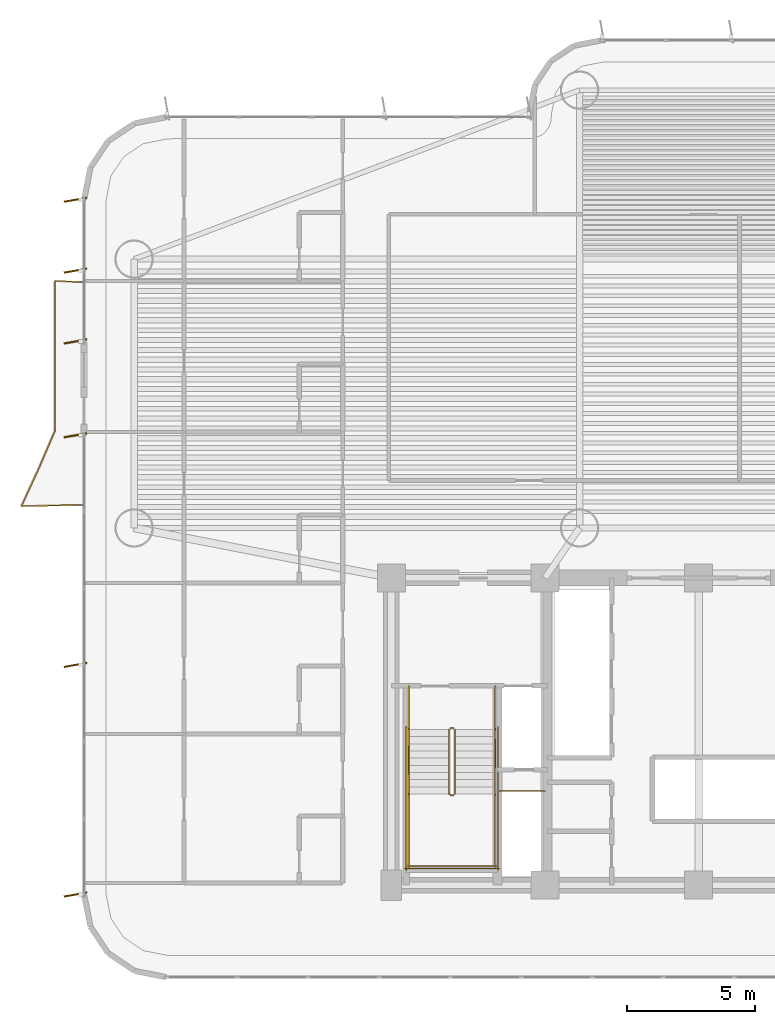
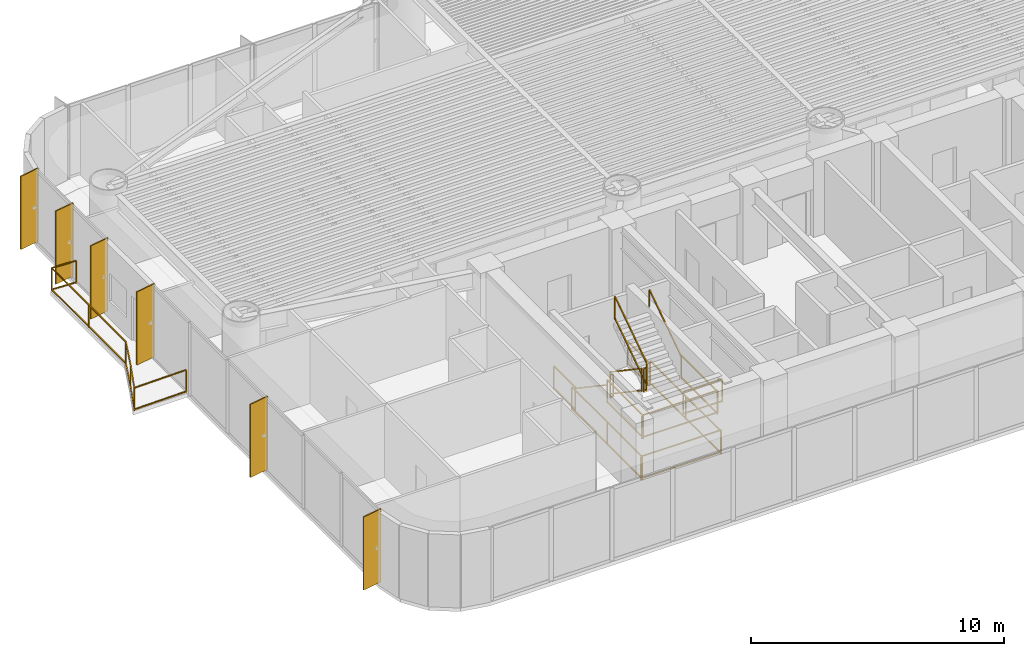
# One storey, part 15 of 18: 16 railings, 6 shading devices.
"""IFC4 building model written with IfcOpenShell, lengths in metres."""

from ifc_helpers import new_model, si_unit, direction, frame, origin, origin_2d, place, context, subcontext, project, spatial, rectangle, extrude, source, transform, mapped, material, layer, layer_set, material_profile, profile_set, type_object, element, save


model = new_model("IFC4")

# Units and contexts
model_context = context("Model", 3, precision=1e-05, world=origin(), true_north=direction((0.0, 1.0)))
body_context = subcontext(model_context, "Body", "Model", "MODEL_VIEW")
ifc_project = project(units=[si_unit("LENGTHUNIT", "METRE"), si_unit("AREAUNIT", "SQUARE_METRE"), si_unit("VOLUMEUNIT", "CUBIC_METRE"), si_unit("PLANEANGLEUNIT", "RADIAN"), si_unit("MASSUNIT", "GRAM", prefix="KILO")], contexts=[model_context])

# Site, building, storey
site_placement = place(None, origin())
site = spatial("IfcSite", under=ifc_project, at=site_placement, CompositionType="ELEMENT")
building_placement = place(site_placement, origin())
building = spatial("IfcBuilding", under=site, at=building_placement, Name="Brelvock Crest Care Tower", CompositionType="ELEMENT")
storey_placement = place(building_placement, frame((0.0, 0.0, 42.1201171875)))
storey = spatial("IfcBuildingStorey", under=building, at=storey_placement, Name="L10", CompositionType="ELEMENT", Elevation=42.1201171875)

# Railings
ifc_material_1 = material(Name="Dark Glass Double Glazed Low-E", Category="glass")
ifc_layer_1 = layer(ifc_material_1, 0.06005859375, Name="RL-BAL1")
ifc_layer_set_1 = layer_set([ifc_layer_1], Name="Dark Glass Double Glazed Low-E")
railing_type_1 = type_object("IfcRailingType", Name="RL-BAL1", PredefinedType="BALUSTRADE", material=ifc_layer_set_1)
railing_1_placement = place(storey_placement, frame((11.9599609375, 20.85009765625, 0.00390625)))
element("IfcRailing", 1, at=railing_1_placement, inside=storey, type_object=railing_type_1, Name="L10 Safety Balustrade WB-W", PredefinedType="BALUSTRADE", context=body_context, shape_type="SweptSolid", body=[
    extrude(rectangle(XDim=0.048095703125, YDim=0.048095703125, at=origin_2d()), frame((-0.001953125, 0.0, 1.09619140625), z_axis=(-0.999783452903, -0.020809788592, 0.0), x_axis=(0.020809788592, -0.999783452903, 0.0)), (0.0, 0.0, 1.0), 2.401123046875),
    extrude(rectangle(XDim=0.048095703125, YDim=0.048095703125, at=origin_2d()), frame((-0.001953125, 0.0, 0.054931640625), z_axis=(-0.999783452903, -0.020809788592, 0.0), x_axis=(0.020809788592, -0.999783452903, 0.0)), (0.0, 0.0, 1.0), 2.401123046875),
    extrude(rectangle(XDim=0.048095703125, YDim=0.048095703125, at=origin_2d()), frame((-2.40380859375, -0.04833984375, 1.09619140625), z_axis=(0.417503547282, 0.908675292944, 0.0), x_axis=(-0.908675292944, 0.417503547282, 0.0)), (0.0, 0.0, 1.0), 1.60986328125),
    extrude(rectangle(XDim=0.048095703125, YDim=0.048095703125, at=origin_2d()), frame((-2.40380859375, -0.04833984375, 0.054931640625), z_axis=(0.417503547282, 0.908675292944, 0.0), x_axis=(-0.908675292944, 0.417503547282, 0.0)), (0.0, 0.0, 1.0), 1.60986328125),
    extrude(rectangle(XDim=0.048095703125, YDim=0.048095703125, at=origin_2d()), frame((-1.72998046875, 1.41845703125, 1.09619140625), z_axis=(0.395100013248, 0.918638111299, 0.0), x_axis=(-0.918638111299, 0.395100013248, 0.0)), (0.0, 0.0, 1.0), 1.5927734375),
    extrude(rectangle(XDim=0.048095703125, YDim=0.048095703125, at=origin_2d()), frame((-1.72998046875, 1.41845703125, 0.054931640625), z_axis=(0.395100013248, 0.918638111299, 0.0), x_axis=(-0.918638111299, 0.395100013248, 0.0)), (0.0, 0.0, 1.0), 1.5927734375),
    extrude(rectangle(XDim=0.048095703125, YDim=0.048095703125, at=origin_2d()), frame((-1.099853515625, 2.88525390625, 1.09619140625), z_axis=(0.0, 1.0, 0.0), x_axis=(-1.0, 0.0, 0.0)), (0.0, 0.0, 1.0), 5.86279296875),
    extrude(rectangle(XDim=0.048095703125, YDim=0.048095703125, at=origin_2d()), frame((-1.099853515625, 2.88525390625, 0.054931640625), z_axis=(0.0, 1.0, 0.0), x_axis=(-1.0, 0.0, 0.0)), (0.0, 0.0, 1.0), 5.86279296875),
    extrude(rectangle(XDim=0.048095703125, YDim=0.048095703125, at=origin_2d()), frame((-1.097900390625, 8.75, 1.09619140625), z_axis=(0.998966252902, -0.045457953795, 0.0), x_axis=(0.045457953795, 0.998966252902, 0.0)), (0.0, 0.0, 1.0), 1.096923828125),
    extrude(rectangle(XDim=0.048095703125, YDim=0.048095703125, at=origin_2d()), frame((-1.097900390625, 8.75, 0.054931640625), z_axis=(0.998966252902, -0.045457953795, 0.0), x_axis=(0.045457953795, 0.998966252902, 0.0)), (0.0, 0.0, 1.0), 1.096923828125),
    extrude(rectangle(XDim=0.0419921875, YDim=0.0419921875, at=origin_2d()), origin(), (0.0, 0.0, 1.0), 1.070068359375),
    extrude(rectangle(XDim=0.0419921875, YDim=0.0419921875, at=origin_2d()), frame((-2.404541015625, -0.050048828125, 0.0)), (0.0, 0.0, 1.0), 1.070068359375),
    extrude(rectangle(XDim=0.0419921875, YDim=0.0419921875, at=origin_2d()), frame((-1.730712890625, 1.41650390625, 0.0)), (0.0, 0.0, 1.0), 1.070068359375),
    extrude(rectangle(XDim=0.0419921875, YDim=0.0419921875, at=origin_2d()), frame((-1.099853515625, 2.88330078125, 0.0)), (0.0, 0.0, 1.0), 1.070068359375),
    extrude(rectangle(XDim=0.0419921875, YDim=0.0419921875, at=origin_2d()), frame((-1.099853515625, 5.816650390625, 0.0)), (0.0, 0.0, 1.0), 1.070068359375),
    extrude(rectangle(XDim=0.0419921875, YDim=0.0419921875, at=origin_2d()), frame((-1.099853515625, 8.75, 0.0)), (0.0, 0.0, 1.0), 1.070068359375),
    extrude(rectangle(XDim=0.0419921875, YDim=0.0419921875, at=origin_2d()), frame((0.0, 8.699951171875, 0.0)), (0.0, 0.0, 1.0), 1.070068359375),
])
ifc_material_2 = material(Name="Steel Grade 350", Category="steel")
ifc_layer_2 = layer(ifc_material_2, 0.050048828125, Name="RL-STG1")
ifc_layer_set_2 = layer_set([ifc_layer_2], Name="Steel Grade 350")
railing_type_2 = type_object("IfcRailingType", Name="RL-STG1", PredefinedType="GUARDRAIL", material=ifc_layer_set_2)
railing_2_placement = place(storey_placement, frame((26.260009765625, 12.080078125, 0.18896484375)))
element("IfcRailing", 2, at=railing_2_placement, inside=storey, type_object=railing_type_2, Name="L10 ST-1 stair guard 1", PredefinedType="GUARDRAIL", context=body_context, shape_type="SweptSolid", body=[
    extrude(rectangle(XDim=0.048095703125, YDim=0.048095703125, at=origin_2d()), frame((0.0, -0.001708984375, 1.116943359375), z_axis=(0.0, -0.828861706735, 0.559453546873), x_axis=(1.0, 0.0, 0.0)), (0.0, 0.0, 1.0), 3.036376953125),
    extrude(rectangle(XDim=0.048095703125, YDim=0.048095703125, at=origin_2d()), frame((0.0, -0.001708984375, 0.05615234375), z_axis=(0.0, -0.828861706735, 0.559453546873), x_axis=(1.0, 0.0, 0.0)), (0.0, 0.0, 1.0), 3.036376953125),
    extrude(rectangle(XDim=0.0419921875, YDim=0.0419921875, at=origin_2d()), origin(), (0.0, 0.0, 1.0), 1.08984375),
    extrude(rectangle(XDim=0.0419921875, YDim=0.0419921875, at=origin_2d()), frame((0.0, -2.52001953125, 1.700927734375)), (0.0, 0.0, 1.0), 1.08984375),
])
railing_3_placement = place(storey_placement, frame((26.31005859375, 9.510009765625, 1.889892578125)))
element("IfcRailing", 3, at=railing_3_placement, inside=storey, type_object=railing_type_2, Name="L10 ST-1 stair guard 2", PredefinedType="GUARDRAIL", context=body_context, shape_type="SweptSolid", body=[
    extrude(rectangle(XDim=0.048095703125, YDim=0.048095703125, at=origin_2d()), frame((0.001953125, 0.0, 1.11572265625), z_axis=(1.0, 0.0, 0.0), x_axis=(0.0, 1.0, 0.0)), (0.0, 0.0, 1.0), 0.115966796875),
    extrude(rectangle(XDim=0.048095703125, YDim=0.048095703125, at=origin_2d()), frame((0.001953125, 0.0, 0.054931640625), z_axis=(1.0, 0.0, 0.0), x_axis=(0.0, 1.0, 0.0)), (0.0, 0.0, 1.0), 0.115966796875),
    extrude(rectangle(XDim=0.0419921875, YDim=0.0419921875, at=origin_2d()), origin(), (0.0, 0.0, 1.0), 1.08984375),
    extrude(rectangle(XDim=0.0419921875, YDim=0.0419921875, at=origin_2d()), frame((0.119873046875, 0.0, 0.0)), (0.0, 0.0, 1.0), 1.08984375),
])
for number, where, name in (
    (4, (24.679931640625, 9.56005859375, 1.889892578125), "L10 ST-1 stair guard 3"),
    (5, (28.06005859375, 9.56005859375, 1.889892578125), "L10 ST-1 stair guard 4"),
):
    element("IfcRailing", number, at=place(storey_placement, frame(where)), inside=storey, type_object=railing_type_2, Name=name, PredefinedType="GUARDRAIL", context=body_context, shape_type="SweptSolid", body=[
        extrude(rectangle(XDim=0.048095703125, YDim=0.048095703125, at=origin_2d()), frame((0.0, -0.001953125, 1.11572265625), z_axis=(0.0, -1.0, 0.0), x_axis=(1.0, 0.0, 0.0)), (0.0, 0.0, 1.0), 2.856201171875),
        extrude(rectangle(XDim=0.048095703125, YDim=0.048095703125, at=origin_2d()), frame((0.0, -0.001953125, 0.054931640625), z_axis=(0.0, -1.0, 0.0), x_axis=(1.0, 0.0, 0.0)), (0.0, 0.0, 1.0), 2.856201171875),
        extrude(rectangle(XDim=0.0419921875, YDim=0.0419921875, at=origin_2d()), origin(), (0.0, 0.0, 1.0), 1.08984375),
        extrude(rectangle(XDim=0.0419921875, YDim=0.0419921875, at=origin_2d()), frame((0.0, -2.860107421875, 0.0)), (0.0, 0.0, 1.0), 1.08984375),
    ])
railing_4_placement = place(storey_placement, frame((24.6298828125, 6.75, 1.889892578125)))
element("IfcRailing", 6, at=railing_4_placement, inside=storey, type_object=railing_type_2, Name="L10 ST-1 stair guard 5", PredefinedType="GUARDRAIL", context=body_context, shape_type="SweptSolid", body=[
    extrude(rectangle(XDim=0.048095703125, YDim=0.048095703125, at=origin_2d()), frame((0.001953125, 0.0, 1.11572265625), z_axis=(1.0, 0.0, 0.0), x_axis=(0.0, 1.0, 0.0)), (0.0, 0.0, 1.0), 3.476318359375),
    extrude(rectangle(XDim=0.048095703125, YDim=0.048095703125, at=origin_2d()), frame((0.001953125, 0.0, 0.054931640625), z_axis=(1.0, 0.0, 0.0), x_axis=(0.0, 1.0, 0.0)), (0.0, 0.0, 1.0), 3.476318359375),
    extrude(rectangle(XDim=0.0419921875, YDim=0.0419921875, at=origin_2d()), origin(), (0.0, 0.0, 1.0), 1.08984375),
    extrude(rectangle(XDim=0.0419921875, YDim=0.0419921875, at=origin_2d()), frame((3.480224609375, 0.0, 0.0)), (0.0, 0.0, 1.0), 1.08984375),
])
railing_5_placement = place(storey_placement, frame((26.47998046875, 9.56005859375, 2.078857421875)))
element("IfcRailing", 7, at=railing_5_placement, inside=storey, type_object=railing_type_2, Name="L10 ST-1 stair guard 6", PredefinedType="GUARDRAIL", context=body_context, shape_type="SweptSolid", body=[
    extrude(rectangle(XDim=0.048095703125, YDim=0.048095703125, at=origin_2d()), frame((0.0, 0.001708984375, 1.116943359375), z_axis=(0.0, 0.828861706735, 0.559453546873), x_axis=(-1.0, 0.0, 0.0)), (0.0, 0.0, 1.0), 3.036376953125),
    extrude(rectangle(XDim=0.048095703125, YDim=0.048095703125, at=origin_2d()), frame((0.0, 0.001708984375, 0.05615234375), z_axis=(0.0, 0.828861706735, 0.559453546873), x_axis=(-1.0, 0.0, 0.0)), (0.0, 0.0, 1.0), 3.036376953125),
    extrude(rectangle(XDim=0.0419921875, YDim=0.0419921875, at=origin_2d()), origin(), (0.0, 0.0, 1.0), 1.08984375),
    extrude(rectangle(XDim=0.0419921875, YDim=0.0419921875, at=origin_2d()), frame((0.0, 2.52001953125, 1.700927734375)), (0.0, 0.0, 1.0), 1.08984375),
])
railing_6_placement = place(storey_placement, frame((26.31005859375, 12.1298828125, 0.0)))
element("IfcRailing", 8, at=railing_6_placement, inside=storey, type_object=railing_type_2, Name="L10 ST-1 stair guard 7", PredefinedType="GUARDRAIL", context=body_context, shape_type="SweptSolid", body=[
    extrude(rectangle(XDim=0.048095703125, YDim=0.048095703125, at=origin_2d()), frame((0.001953125, 0.0, 1.11572265625), z_axis=(1.0, 0.0, 0.0), x_axis=(0.0, 1.0, 0.0)), (0.0, 0.0, 1.0), 0.115966796875),
    extrude(rectangle(XDim=0.048095703125, YDim=0.048095703125, at=origin_2d()), frame((0.001953125, 0.0, 0.054931640625), z_axis=(1.0, 0.0, 0.0), x_axis=(0.0, 1.0, 0.0)), (0.0, 0.0, 1.0), 0.115966796875),
    extrude(rectangle(XDim=0.0419921875, YDim=0.0419921875, at=origin_2d()), origin(), (0.0, 0.0, 1.0), 1.08984375),
    extrude(rectangle(XDim=0.0419921875, YDim=0.0419921875, at=origin_2d()), frame((0.119873046875, 0.0, 0.0)), (0.0, 0.0, 1.0), 1.08984375),
])
for number, where, name in (
    (9, (24.679931640625, 13.780029296875, 0.0), "L10 ST-1 stair guard 8"),
    (10, (28.06005859375, 13.780029296875, 0.0), "L10 ST-1 stair guard 9"),
):
    element("IfcRailing", number, at=place(storey_placement, frame(where)), inside=storey, type_object=railing_type_2, Name=name, PredefinedType="GUARDRAIL", context=body_context, shape_type="SweptSolid", body=[
        extrude(rectangle(XDim=0.048095703125, YDim=0.048095703125, at=origin_2d()), frame((0.0, -0.001953125, 1.11572265625), z_axis=(0.0, -1.0, 0.0), x_axis=(1.0, 0.0, 0.0)), (0.0, 0.0, 1.0), 1.696044921875),
        extrude(rectangle(XDim=0.048095703125, YDim=0.048095703125, at=origin_2d()), frame((0.0, -0.001953125, 0.054931640625), z_axis=(0.0, -1.0, 0.0), x_axis=(1.0, 0.0, 0.0)), (0.0, 0.0, 1.0), 1.696044921875),
        extrude(rectangle(XDim=0.0419921875, YDim=0.0419921875, at=origin_2d()), origin(), (0.0, 0.0, 1.0), 1.08984375),
        extrude(rectangle(XDim=0.0419921875, YDim=0.0419921875, at=origin_2d()), frame((0.0, -1.699951171875, 0.0)), (0.0, 0.0, 1.0), 1.08984375),
    ])
for number, where, name in (
    (11, (24.580078125, 12.179931640625, 0.0), "L10 ST-1 stair guard 10"),
    (12, (28.159912109375, 12.179931640625, 0.0), "L10 ST-1 stair guard 11"),
):
    element("IfcRailing", number, at=place(storey_placement, frame(where)), inside=storey, type_object=railing_type_2, Name=name, PredefinedType="GUARDRAIL", context=body_context, shape_type="SweptSolid", body=[
        extrude(rectangle(XDim=0.048095703125, YDim=0.048095703125, at=origin_2d()), frame((0.0, -0.001953125, 1.11572265625), z_axis=(0.0, -1.0, 0.0), x_axis=(1.0, 0.0, 0.0)), (0.0, 0.0, 1.0), 5.575927734375),
        extrude(rectangle(XDim=0.048095703125, YDim=0.048095703125, at=origin_2d()), frame((0.0, -0.001953125, 0.054931640625), z_axis=(0.0, -1.0, 0.0), x_axis=(1.0, 0.0, 0.0)), (0.0, 0.0, 1.0), 5.575927734375),
        extrude(rectangle(XDim=0.0419921875, YDim=0.0419921875, at=origin_2d()), origin(), (0.0, 0.0, 1.0), 1.08984375),
        extrude(rectangle(XDim=0.0419921875, YDim=0.0419921875, at=origin_2d()), frame((0.0, -2.7900390625, 0.0)), (0.0, 0.0, 1.0), 1.08984375),
        extrude(rectangle(XDim=0.0419921875, YDim=0.0419921875, at=origin_2d()), frame((0.0, -5.579833984375, 0.0)), (0.0, 0.0, 1.0), 1.08984375),
    ])
railing_7_placement = place(storey_placement, frame((24.530029296875, 6.64990234375, 0.0)))
element("IfcRailing", 13, at=railing_7_placement, inside=storey, type_object=railing_type_2, Name="L10 ST-1 stair guard 12", PredefinedType="GUARDRAIL", context=body_context, shape_type="SweptSolid", body=[
    extrude(rectangle(XDim=0.048095703125, YDim=0.048095703125, at=origin_2d()), frame((0.001953125, 0.0, 1.11572265625), z_axis=(1.0, 0.0, 0.0), x_axis=(0.0, 1.0, 0.0)), (0.0, 0.0, 1.0), 3.676025390625),
    extrude(rectangle(XDim=0.048095703125, YDim=0.048095703125, at=origin_2d()), frame((0.001953125, 0.0, 0.054931640625), z_axis=(1.0, 0.0, 0.0), x_axis=(0.0, 1.0, 0.0)), (0.0, 0.0, 1.0), 3.676025390625),
    extrude(rectangle(XDim=0.0419921875, YDim=0.0419921875, at=origin_2d()), origin(), (0.0, 0.0, 1.0), 1.08984375),
    extrude(rectangle(XDim=0.0419921875, YDim=0.0419921875, at=origin_2d()), frame((3.679931640625, 0.0, 0.0)), (0.0, 0.0, 1.0), 1.08984375),
])
railing_8_placement = place(storey_placement, frame((28.219970703125, 9.679931640625, 0.0)))
element("IfcRailing", 14, at=railing_8_placement, inside=storey, type_object=railing_type_2, Name="L10 Fire Riser Threshold Guard", PredefinedType="GUARDRAIL", context=body_context, shape_type="SweptSolid", body=[
    extrude(rectangle(XDim=0.048095703125, YDim=0.048095703125, at=origin_2d()), frame((0.001953125, 0.0, 1.11572265625), z_axis=(1.0, 0.0, 0.0), x_axis=(0.0, 1.0, 0.0)), (0.0, 0.0, 1.0), 1.776123046875),
    extrude(rectangle(XDim=0.048095703125, YDim=0.048095703125, at=origin_2d()), frame((0.001953125, 0.0, 0.054931640625), z_axis=(1.0, 0.0, 0.0), x_axis=(0.0, 1.0, 0.0)), (0.0, 0.0, 1.0), 1.776123046875),
    extrude(rectangle(XDim=0.0419921875, YDim=0.0419921875, at=origin_2d()), origin(), (0.0, 0.0, 1.0), 1.08984375),
    extrude(rectangle(XDim=0.0419921875, YDim=0.0419921875, at=origin_2d()), frame((1.780029296875, 0.0, 0.0)), (0.0, 0.0, 1.0), 1.08984375),
])
ifc_layer_3 = layer(ifc_material_2, 0.048095703125, Name="RL-STH1")
ifc_layer_set_3 = layer_set([ifc_layer_3], Name="Steel Grade 350")
railing_type_3 = type_object("IfcRailingType", Name="RL-STH1", PredefinedType="HANDRAIL", material=ifc_layer_set_3)
railing_9_placement = place(storey_placement, frame((24.679931640625, 12.080078125, 0.18896484375)))
element("IfcRailing", 15, at=railing_9_placement, inside=storey, type_object=railing_type_3, Name="L10 ST-1 stair handrail 1", PredefinedType="HANDRAIL", context=body_context, shape_type="SweptSolid", body=[
    extrude(rectangle(XDim=0.048095703125, YDim=0.048095703125, at=origin_2d()), frame((0.0, -0.001708984375, 0.876953125), z_axis=(0.0, -0.828861706735, 0.559453546873), x_axis=(1.0, 0.0, 0.0)), (0.0, 0.0, 1.0), 3.036376953125),
    extrude(rectangle(XDim=0.0419921875, YDim=0.0419921875, at=origin_2d()), origin(), (0.0, 0.0, 1.0), 0.849853515625),
    extrude(rectangle(XDim=0.0419921875, YDim=0.0419921875, at=origin_2d()), frame((0.0, -2.52001953125, 1.700927734375)), (0.0, 0.0, 1.0), 0.849853515625),
])
railing_10_placement = place(storey_placement, frame((28.06005859375, 9.56005859375, 2.078857421875)))
element("IfcRailing", 16, at=railing_10_placement, inside=storey, type_object=railing_type_3, Name="L10 ST-1 stair handrail 2", PredefinedType="HANDRAIL", context=body_context, shape_type="SweptSolid", body=[
    extrude(rectangle(XDim=0.048095703125, YDim=0.048095703125, at=origin_2d()), frame((0.0, 0.001708984375, 0.876953125), z_axis=(0.0, 0.828861706735, 0.559453546873), x_axis=(-1.0, 0.0, 0.0)), (0.0, 0.0, 1.0), 3.036376953125),
    extrude(rectangle(XDim=0.0419921875, YDim=0.0419921875, at=origin_2d()), origin(), (0.0, 0.0, 1.0), 0.849853515625),
    extrude(rectangle(XDim=0.0419921875, YDim=0.0419921875, at=origin_2d()), frame((0.0, 2.52001953125, 1.700927734375)), (0.0, 0.0, 1.0), 0.849853515625),
])

# Shading devices
ifc_material_3 = material(Name="Aluminium 6063-T6", Category="aluminium")
ifc_material_profile = material_profile(ifc_material_3, rectangle(XDim=0.054931640625, YDim=0.89990234375, at=origin_2d()), Name="FIN55x900")
ifc_profile_set = profile_set([ifc_material_profile], Name="Aluminium 6063-T6")
shading_device_type = type_object("IfcShadingDeviceType", Name="SHD-FIN1", PredefinedType="USERDEFINED", material=ifc_profile_set)
shared_shape = source(origin(), body_context, "Body", "SweptSolid", [
    extrude(rectangle(XDim=0.054931640625, YDim=0.89990234375, at=origin_2d()), origin(), (0.0, 0.0, 1.0), 3.52978515625),
])
for number, where, z_axis, x_axis, name in (
    (17, (11.659912109375, 5.632568359375, 0.0), (0.0, 0.0, 1.0), (-0.173648177667, 0.984807753012, 0.0), "L10 Vertical Sunshade Fin E13A-01"),
    (18, (11.659912109375, 14.60009765625, 0.0), (0.0, 0.0, 1.0), (-0.173648177667, 0.984807753012, 0.0), "L10 Vertical Sunshade Fin E13A-04"),
    (19, (11.659912109375, 23.5673828125, 0.0), (0.0, 0.0, 1.0), (-0.173648177667, 0.984807753012, 0.0), "L10 Vertical Sunshade Fin E13A-07"),
    (20, (11.659912109375, 27.232421875, 0.0), (0.0, 0.0, 1.0), (-0.173648177667, 0.984807753012, 0.0), "L10 Vertical Sunshade Fin E13B-01"),
    (21, (11.659912109375, 30.0, 0.0), (0.0, 0.0, 1.0), (-0.173648177667, 0.984807753012, 0.0), "L10 Vertical Sunshade Fin E13B-02"),
    (22, (11.659912109375, 32.767578125, 0.0), (0.0, 0.0, 1.0), (-0.173648177667, 0.984807753012, 0.0), "L10 Vertical Sunshade Fin E13B-03"),
):
    element("IfcShadingDevice", number, at=place(storey_placement, frame(where, z_axis=z_axis, x_axis=x_axis)), inside=storey, type_object=shading_device_type, Name=name, ObjectType="FIN", PredefinedType="USERDEFINED", context=body_context, shape_type="MappedRepresentation", body=[
        mapped(shared_shape, transform((0.0, 0.0, 0.0), x_axis=(1.0, 0.0, 0.0), y_axis=(0.0, 1.0, 0.0), z_axis=(0.0, 0.0, 1.0), scale=1.0)),
    ])

save(model, "model.ifc")
